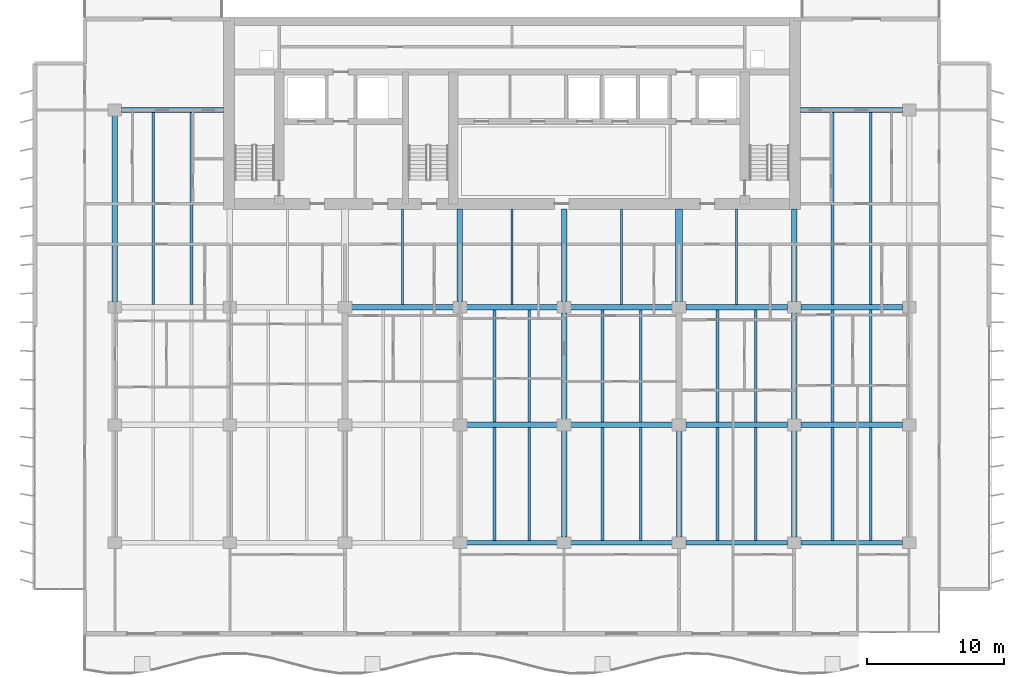
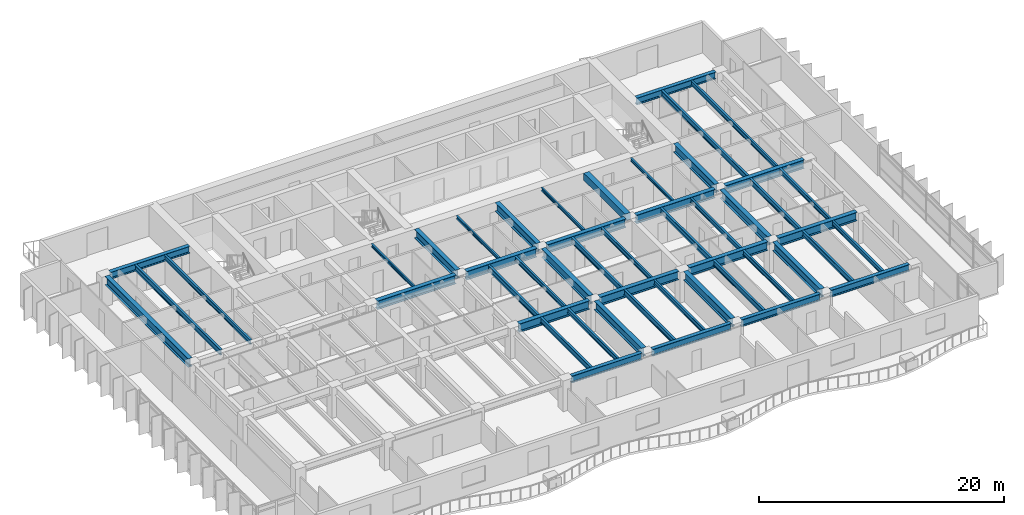
# One storey, part 3 of 15: 49 beams.
"""IFC4 building model written with IfcOpenShell, lengths in metres."""

from ifc_helpers import new_model, si_unit, direction, frame, origin, origin_2d, place, context, subcontext, project, spatial, rectangle, i_section, extrude, material, material_profile, profile_set, type_object, element, save


model = new_model("IFC4")

# Units and contexts
model_context = context("Model", 3, precision=1e-05, world=origin(), true_north=direction((0.0, 1.0)))
body_context = subcontext(model_context, "Body", "Model", "MODEL_VIEW")
ifc_project = project(units=[si_unit("LENGTHUNIT", "METRE"), si_unit("AREAUNIT", "SQUARE_METRE"), si_unit("VOLUMEUNIT", "CUBIC_METRE"), si_unit("PLANEANGLEUNIT", "RADIAN"), si_unit("MASSUNIT", "GRAM", prefix="KILO")], contexts=[model_context])

# Site, building, storey
site_placement = place(None, origin())
site = spatial("IfcSite", under=ifc_project, at=site_placement, CompositionType="ELEMENT")
building_placement = place(site_placement, origin())
building = spatial("IfcBuilding", under=site, at=building_placement, Name="Caelmar Bay Residences", CompositionType="ELEMENT")
storey_placement = place(building_placement, frame((0.0, 0.0, 132.300048828125)))
storey = spatial("IfcBuildingStorey", under=building, at=storey_placement, Name="L36", CompositionType="ELEMENT", Elevation=132.300048828125)

# Beams
ifc_material_1 = material(Name="Steel ASTM A992 Grade 50", Category="steel")
ifc_material_profile_1 = material_profile(ifc_material_1, i_section(OverallWidth=0.40087890625, OverallDepth=0.861083984375, WebThickness=0.019775390625, FlangeThickness=0.032470703125, FilletRadius=0.017822265625, at=origin_2d()), Name="W33X221")
ifc_profile_set_1 = profile_set([ifc_material_profile_1], Name="Steel ASTM A992 Grade 50")
beam_type_1 = type_object("IfcBeamType", Name="BM-GRD-W33X221", PredefinedType="BEAM", material=ifc_profile_set_1)
beam_1_placement = place(storey_placement, frame((35.590087890625, 20.800048828125, 2.619384765625), z_axis=(1.0, 0.0, 0.0), x_axis=(0.0, 1.0, 0.0)))
element("IfcBeam", 1, at=beam_1_placement, inside=storey, type_object=beam_type_1, Name="L36 East-West Girder Y=20.80 (35.1-42.7)", PredefinedType="BEAM", context=body_context, shape_type="SweptSolid", body=[
    extrude(i_section(OverallWidth=0.40087890625, OverallDepth=0.861083984375, WebThickness=0.019775390625, FlangeThickness=0.032470703125, FilletRadius=0.017822265625, at=origin_2d()), origin(), (0.0, 0.0, 1.0), 6.619873046875),
])
beam_2_placement = place(storey_placement, frame((43.18994140625, 20.800048828125, 2.619384765625), z_axis=(1.0, 0.0, 0.0), x_axis=(0.0, 1.0, 0.0)))
element("IfcBeam", 2, at=beam_2_placement, inside=storey, type_object=beam_type_1, Name="L36 East-West Girder Y=20.80 (42.7-51.1)", PredefinedType="BEAM", context=body_context, shape_type="SweptSolid", body=[
    extrude(i_section(OverallWidth=0.40087890625, OverallDepth=0.861083984375, WebThickness=0.019775390625, FlangeThickness=0.032470703125, FilletRadius=0.017822265625, at=origin_2d()), origin(), (0.0, 0.0, 1.0), 7.420166015625),
])
for number, where, z_axis, x_axis, name in (
    (3, (51.590087890625, 20.800048828125, 2.619384765625), (1.0, 0.0, 0.0), (0.0, 1.0, 0.0), "L36 East-West Girder Y=20.80 (51.1-59.5)"),
    (4, (59.989990234375, 20.800048828125, 2.619384765625), (1.0, 0.0, 0.0), (0.0, 1.0, 0.0), "L36 East-West Girder Y=20.80 (59.5-67.9)"),
):
    element("IfcBeam", number, at=place(storey_placement, frame(where, z_axis=z_axis, x_axis=x_axis)), inside=storey, type_object=beam_type_1, Name=name, PredefinedType="BEAM", context=body_context, shape_type="SweptSolid", body=[
        extrude(i_section(OverallWidth=0.40087890625, OverallDepth=0.861083984375, WebThickness=0.019775390625, FlangeThickness=0.032470703125, FilletRadius=0.017822265625, at=origin_2d()), origin(), (0.0, 0.0, 1.0), 7.419921875),
    ])
beam_3_placement = place(storey_placement, frame((27.18994140625, 29.39990234375, 2.619384765625), z_axis=(1.0, 0.0, 0.0), x_axis=(0.0, 1.0, 0.0)))
element("IfcBeam", 5, at=beam_3_placement, inside=storey, type_object=beam_type_1, Name="L36 East-West Girder Y=29.40 (26.7-35.1)", PredefinedType="BEAM", context=body_context, shape_type="SweptSolid", body=[
    extrude(i_section(OverallWidth=0.40087890625, OverallDepth=0.861083984375, WebThickness=0.019775390625, FlangeThickness=0.032470703125, FilletRadius=0.017822265625, at=origin_2d()), origin(), (0.0, 0.0, 1.0), 7.420166015625),
])
beam_4_placement = place(storey_placement, frame((35.590087890625, 29.39990234375, 2.619384765625), z_axis=(1.0, 0.0, 0.0), x_axis=(0.0, 1.0, 0.0)))
element("IfcBeam", 6, at=beam_4_placement, inside=storey, type_object=beam_type_1, Name="L36 East-West Girder Y=29.40 (35.1-42.7)", PredefinedType="BEAM", context=body_context, shape_type="SweptSolid", body=[
    extrude(i_section(OverallWidth=0.40087890625, OverallDepth=0.861083984375, WebThickness=0.019775390625, FlangeThickness=0.032470703125, FilletRadius=0.017822265625, at=origin_2d()), origin(), (0.0, 0.0, 1.0), 6.619873046875),
])
beam_5_placement = place(storey_placement, frame((43.18994140625, 29.39990234375, 2.619384765625), z_axis=(1.0, 0.0, 0.0), x_axis=(0.0, 1.0, 0.0)))
element("IfcBeam", 7, at=beam_5_placement, inside=storey, type_object=beam_type_1, Name="L36 East-West Girder Y=29.40 (42.7-51.1)", PredefinedType="BEAM", context=body_context, shape_type="SweptSolid", body=[
    extrude(i_section(OverallWidth=0.40087890625, OverallDepth=0.861083984375, WebThickness=0.019775390625, FlangeThickness=0.032470703125, FilletRadius=0.017822265625, at=origin_2d()), origin(), (0.0, 0.0, 1.0), 7.420166015625),
])
for number, where, z_axis, x_axis, name in (
    (8, (51.590087890625, 29.39990234375, 2.619384765625), (1.0, 0.0, 0.0), (0.0, 1.0, 0.0), "L36 East-West Girder Y=29.40 (51.1-59.5)"),
    (9, (59.989990234375, 29.39990234375, 2.619384765625), (1.0, 0.0, 0.0), (0.0, 1.0, 0.0), "L36 East-West Girder Y=29.40 (59.5-67.9)"),
):
    element("IfcBeam", number, at=place(storey_placement, frame(where, z_axis=z_axis, x_axis=x_axis)), inside=storey, type_object=beam_type_1, Name=name, PredefinedType="BEAM", context=body_context, shape_type="SweptSolid", body=[
        extrude(i_section(OverallWidth=0.40087890625, OverallDepth=0.861083984375, WebThickness=0.019775390625, FlangeThickness=0.032470703125, FilletRadius=0.017822265625, at=origin_2d()), origin(), (0.0, 0.0, 1.0), 7.419921875),
    ])
beam_6_placement = place(storey_placement, frame((9.89990234375, 29.81494140625, 2.619384765625), z_axis=(0.0, 1.0, 0.0), x_axis=(-1.0, 0.0, 0.0)))
element("IfcBeam", 10, at=beam_6_placement, inside=storey, type_object=beam_type_1, Name="L36 North-South Girder X=9.90 (29.4-43.8)", PredefinedType="BEAM", context=body_context, shape_type="SweptSolid", body=[
    extrude(i_section(OverallWidth=0.40087890625, OverallDepth=0.861083984375, WebThickness=0.019775390625, FlangeThickness=0.032470703125, FilletRadius=0.017822265625, at=origin_2d()), origin(), (0.0, 0.0, 1.0), 13.570068359375),
])
for number, where, z_axis, x_axis, name in (
    (11, (35.10009765625, 29.81494140625, 2.619384765625), (0.0, 1.0, 0.0), (-1.0, 0.0, 0.0), "L36 Core Tie Girder X=35.10"),
    (12, (42.699951171875, 29.81494140625, 2.619384765625), (0.0, 1.0, 0.0), (-1.0, 0.0, 0.0), "L36 Core Tie Girder X=42.70"),
):
    element("IfcBeam", number, at=place(storey_placement, frame(where, z_axis=z_axis, x_axis=x_axis)), inside=storey, type_object=beam_type_1, Name=name, PredefinedType="BEAM", context=body_context, shape_type="SweptSolid", body=[
        extrude(i_section(OverallWidth=0.40087890625, OverallDepth=0.861083984375, WebThickness=0.019775390625, FlangeThickness=0.032470703125, FilletRadius=0.017822265625, at=origin_2d()), origin(), (0.0, 0.0, 1.0), 6.735107421875),
    ])
for number, where, z_axis, x_axis, name in (
    (13, (42.699951171875, 12.614990234375, 2.619384765625), (0.0, 1.0, 0.0), (-1.0, 0.0, 0.0), "L36 North-South Girder X=42.70 (12.2-20.8)"),
    (14, (42.699951171875, 21.215087890625, 2.619384765625), (0.0, 1.0, 0.0), (-1.0, 0.0, 0.0), "L36 North-South Girder X=42.70 (20.8-29.4)"),
    (15, (51.10009765625, 12.614990234375, 2.619384765625), (0.0, 1.0, 0.0), (-1.0, 0.0, 0.0), "L36 North-South Girder X=51.10 (12.2-20.8)"),
):
    element("IfcBeam", number, at=place(storey_placement, frame(where, z_axis=z_axis, x_axis=x_axis)), inside=storey, type_object=beam_type_1, Name=name, PredefinedType="BEAM", context=body_context, shape_type="SweptSolid", body=[
        extrude(i_section(OverallWidth=0.40087890625, OverallDepth=0.861083984375, WebThickness=0.019775390625, FlangeThickness=0.032470703125, FilletRadius=0.017822265625, at=origin_2d()), origin(), (0.0, 0.0, 1.0), 7.77001953125),
    ])
beam_7_placement = place(storey_placement, frame((59.5, 29.81494140625, 2.619384765625), z_axis=(0.0, 1.0, 0.0), x_axis=(-1.0, 0.0, 0.0)))
element("IfcBeam", 16, at=beam_7_placement, inside=storey, type_object=beam_type_1, Name="L36 Core Tie Girder X=59.50", PredefinedType="BEAM", context=body_context, shape_type="SweptSolid", body=[
    extrude(i_section(OverallWidth=0.40087890625, OverallDepth=0.861083984375, WebThickness=0.019775390625, FlangeThickness=0.032470703125, FilletRadius=0.017822265625, at=origin_2d()), origin(), (0.0, 0.0, 1.0), 6.735107421875),
])
for number, where, z_axis, x_axis, name in (
    (17, (59.5, 12.614990234375, 2.619384765625), (0.0, 1.0, 0.0), (-1.0, 0.0, 0.0), "L36 North-South Girder X=59.50 (12.2-20.8)"),
    (18, (59.5, 21.215087890625, 2.619384765625), (0.0, 1.0, 0.0), (-1.0, 0.0, 0.0), "L36 North-South Girder X=59.50 (20.8-29.4)"),
):
    element("IfcBeam", number, at=place(storey_placement, frame(where, z_axis=z_axis, x_axis=x_axis)), inside=storey, type_object=beam_type_1, Name=name, PredefinedType="BEAM", context=body_context, shape_type="SweptSolid", body=[
        extrude(i_section(OverallWidth=0.40087890625, OverallDepth=0.861083984375, WebThickness=0.019775390625, FlangeThickness=0.032470703125, FilletRadius=0.017822265625, at=origin_2d()), origin(), (0.0, 0.0, 1.0), 7.77001953125),
    ])
ifc_material_profile_2 = material_profile(ifc_material_1, i_section(OverallWidth=0.1650390625, OverallDepth=0.31005859375, WebThickness=0.005859375, FlangeThickness=0.009765625, FilletRadius=0.007568359375, at=origin_2d()), Name="W12X26")
ifc_profile_set_2 = profile_set([ifc_material_profile_2], Name="Steel ASTM A992 Grade 50")
beam_type_2 = type_object("IfcBeamType", Name="BM-JST-W12X26", PredefinedType="JOIST", material=ifc_profile_set_2)
for number, where, z_axis, x_axis, name in (
    (19, (30.89990234375, 29.6005859375, 2.89501953125), (0.0, 1.0, 0.0), (-1.0, 0.0, 0.0), "L36 Core-Band Composite Joist 30"),
    (20, (38.89990234375, 29.6005859375, 2.89501953125), (0.0, 1.0, 0.0), (-1.0, 0.0, 0.0), "L36 Core-Band Composite Joist 31"),
    (21, (46.89990234375, 29.6005859375, 2.89501953125), (0.0, 1.0, 0.0), (-1.0, 0.0, 0.0), "L36 Core-Band Composite Joist 32"),
    (22, (55.300048828125, 29.6005859375, 2.89501953125), (0.0, 1.0, 0.0), (-1.0, 0.0, 0.0), "L36 Core-Band Composite Joist 33"),
):
    element("IfcBeam", number, at=place(storey_placement, frame(where, z_axis=z_axis, x_axis=x_axis)), inside=storey, type_object=beam_type_2, Name=name, PredefinedType="JOIST", context=body_context, shape_type="SweptSolid", body=[
        extrude(i_section(OverallWidth=0.1650390625, OverallDepth=0.31005859375, WebThickness=0.005859375, FlangeThickness=0.009765625, FilletRadius=0.007568359375, at=origin_2d()), origin(), (0.0, 0.0, 1.0), 6.949462890625),
    ])
ifc_material_profile_3 = material_profile(ifc_material_1, i_section(OverallWidth=0.19091796875, OverallDepth=0.45703125, WebThickness=0.009033203125, FlangeThickness=0.014404296875, FilletRadius=0.01025390625, at=origin_2d()), Name="W18X50")
ifc_profile_set_3 = profile_set([ifc_material_profile_3], Name="Steel ASTM A992 Grade 50")
beam_type_3 = type_object("IfcBeamType", Name="BM-JST-W18X50", PredefinedType="JOIST", material=ifc_profile_set_3)
for number, where, z_axis, x_axis, name in (
    (23, (40.166748046875, 12.3779296875, 2.821533203125), (0.0, 1.0, 0.0), (-1.0, 0.0, 0.0), "L36 Composite Floor Joist 8"),
    (24, (48.300048828125, 12.3779296875, 2.821533203125), (0.0, 1.0, 0.0), (-1.0, 0.0, 0.0), "L36 Composite Floor Joist 10"),
    (25, (56.699951171875, 12.3779296875, 2.821533203125), (0.0, 1.0, 0.0), (-1.0, 0.0, 0.0), "L36 Composite Floor Joist 12"),
    (26, (65.10009765625, 12.3779296875, 2.821533203125), (0.0, 1.0, 0.0), (-1.0, 0.0, 0.0), "L36 Composite Floor Joist 14"),
):
    element("IfcBeam", number, at=place(storey_placement, frame(where, z_axis=z_axis, x_axis=x_axis)), inside=storey, type_object=beam_type_3, Name=name, PredefinedType="JOIST", context=body_context, shape_type="SweptSolid", body=[
        extrude(i_section(OverallWidth=0.19091796875, OverallDepth=0.45703125, WebThickness=0.009033203125, FlangeThickness=0.014404296875, FilletRadius=0.01025390625, at=origin_2d()), origin(), (0.0, 0.0, 1.0), 8.2216796875),
    ])
for number, where, z_axis, x_axis, name in (
    (27, (40.166748046875, 21.00048828125, 2.821533203125), (0.0, 1.0, 0.0), (-1.0, 0.0, 0.0), "L36 Composite Floor Joist 22"),
    (28, (48.300048828125, 21.00048828125, 2.821533203125), (0.0, 1.0, 0.0), (-1.0, 0.0, 0.0), "L36 Composite Floor Joist 24"),
    (29, (56.699951171875, 21.00048828125, 2.821533203125), (0.0, 1.0, 0.0), (-1.0, 0.0, 0.0), "L36 Composite Floor Joist 26"),
    (30, (65.10009765625, 21.00048828125, 2.821533203125), (0.0, 1.0, 0.0), (-1.0, 0.0, 0.0), "L36 Composite Floor Joist 28"),
):
    element("IfcBeam", number, at=place(storey_placement, frame(where, z_axis=z_axis, x_axis=x_axis)), inside=storey, type_object=beam_type_3, Name=name, PredefinedType="JOIST", context=body_context, shape_type="SweptSolid", body=[
        extrude(i_section(OverallWidth=0.19091796875, OverallDepth=0.45703125, WebThickness=0.009033203125, FlangeThickness=0.014404296875, FilletRadius=0.01025390625, at=origin_2d()), origin(), (0.0, 0.0, 1.0), 8.198974609375),
    ])
for number, where, z_axis, x_axis, name in (
    (31, (15.5, 29.6005859375, 2.821533203125), (0.0, 1.0, 0.0), (-1.0, 0.0, 0.0), "L36 Composite Floor Joist 35"),
    (32, (65.10009765625, 29.6005859375, 2.821533203125), (0.0, 1.0, 0.0), (-1.0, 0.0, 0.0), "L36 Composite Floor Joist 37"),
):
    element("IfcBeam", number, at=place(storey_placement, frame(where, z_axis=z_axis, x_axis=x_axis)), inside=storey, type_object=beam_type_3, Name=name, PredefinedType="JOIST", context=body_context, shape_type="SweptSolid", body=[
        extrude(i_section(OverallWidth=0.19091796875, OverallDepth=0.45703125, WebThickness=0.009033203125, FlangeThickness=0.014404296875, FilletRadius=0.01025390625, at=origin_2d()), origin(), (0.0, 0.0, 1.0), 14.021484375),
    ])
ifc_material_profile_4 = material_profile(ifc_material_1, i_section(OverallWidth=0.2099609375, OverallDepth=0.535888671875, WebThickness=0.010986328125, FlangeThickness=0.017333984375, FilletRadius=0.0126953125, at=origin_2d()), Name="W21X68")
ifc_profile_set_4 = profile_set([ifc_material_profile_4], Name="Steel ASTM A992 Grade 50")
beam_type_4 = type_object("IfcBeamType", Name="BM-JST-W21X68", PredefinedType="JOIST", material=ifc_profile_set_4)
for number, where, z_axis, x_axis, name in (
    (33, (37.63330078125, 12.3779296875, 2.781982421875), (0.0, 1.0, 0.0), (-1.0, 0.0, 0.0), "L36 Composite Floor Joist 7"),
    (34, (45.5, 12.3779296875, 2.781982421875), (0.0, 1.0, 0.0), (-1.0, 0.0, 0.0), "L36 Composite Floor Joist 9"),
    (35, (53.89990234375, 12.3779296875, 2.781982421875), (0.0, 1.0, 0.0), (-1.0, 0.0, 0.0), "L36 Composite Floor Joist 11"),
    (36, (62.300048828125, 12.3779296875, 2.781982421875), (0.0, 1.0, 0.0), (-1.0, 0.0, 0.0), "L36 Composite Floor Joist 13"),
):
    element("IfcBeam", number, at=place(storey_placement, frame(where, z_axis=z_axis, x_axis=x_axis)), inside=storey, type_object=beam_type_4, Name=name, PredefinedType="JOIST", context=body_context, shape_type="SweptSolid", body=[
        extrude(i_section(OverallWidth=0.2099609375, OverallDepth=0.535888671875, WebThickness=0.010986328125, FlangeThickness=0.017333984375, FilletRadius=0.0126953125, at=origin_2d()), origin(), (0.0, 0.0, 1.0), 8.2216796875),
    ])
for number, where, z_axis, x_axis, name in (
    (37, (37.63330078125, 21.00048828125, 2.781982421875), (0.0, 1.0, 0.0), (-1.0, 0.0, 0.0), "L36 Composite Floor Joist 21"),
    (38, (45.5, 21.00048828125, 2.781982421875), (0.0, 1.0, 0.0), (-1.0, 0.0, 0.0), "L36 Composite Floor Joist 23"),
    (39, (53.89990234375, 21.00048828125, 2.781982421875), (0.0, 1.0, 0.0), (-1.0, 0.0, 0.0), "L36 Composite Floor Joist 25"),
    (40, (62.300048828125, 21.00048828125, 2.781982421875), (0.0, 1.0, 0.0), (-1.0, 0.0, 0.0), "L36 Composite Floor Joist 27"),
):
    element("IfcBeam", number, at=place(storey_placement, frame(where, z_axis=z_axis, x_axis=x_axis)), inside=storey, type_object=beam_type_4, Name=name, PredefinedType="JOIST", context=body_context, shape_type="SweptSolid", body=[
        extrude(i_section(OverallWidth=0.2099609375, OverallDepth=0.535888671875, WebThickness=0.010986328125, FlangeThickness=0.017333984375, FilletRadius=0.0126953125, at=origin_2d()), origin(), (0.0, 0.0, 1.0), 8.198974609375),
    ])
for number, where, z_axis, x_axis, name in (
    (41, (12.699951171875, 29.6005859375, 2.781982421875), (0.0, 1.0, 0.0), (-1.0, 0.0, 0.0), "L36 Composite Floor Joist 34"),
    (42, (62.300048828125, 29.6005859375, 2.781982421875), (0.0, 1.0, 0.0), (-1.0, 0.0, 0.0), "L36 Composite Floor Joist 36"),
):
    element("IfcBeam", number, at=place(storey_placement, frame(where, z_axis=z_axis, x_axis=x_axis)), inside=storey, type_object=beam_type_4, Name=name, PredefinedType="JOIST", context=body_context, shape_type="SweptSolid", body=[
        extrude(i_section(OverallWidth=0.2099609375, OverallDepth=0.535888671875, WebThickness=0.010986328125, FlangeThickness=0.017333984375, FilletRadius=0.0126953125, at=origin_2d()), origin(), (0.0, 0.0, 1.0), 14.021484375),
    ])
ifc_material_2 = material(Name="Concrete f'c 55 MPa (8,000 psi)", Category="concrete")
ifc_material_profile_5 = material_profile(ifc_material_2, rectangle(XDim=0.5, YDim=0.699951171875, at=origin_2d()), Name="RC-BM-500X700")
ifc_profile_set_5 = profile_set([ifc_material_profile_5], Name="Concrete f'c 55 MPa (8,000 psi)")
beam_type_5 = type_object("IfcBeamType", Name="BM-RC-500X700", PredefinedType="LINTEL", material=ifc_profile_set_5)
beam_8_placement = place(storey_placement, frame((51.10009765625, 29.81494140625, 2.699951171875), z_axis=(0.0, 1.0, 0.0), x_axis=(-1.0, 0.0, 0.0)))
element("IfcBeam", 43, at=beam_8_placement, inside=storey, type_object=beam_type_5, Name="L36 Shear-Wall Corridor Coupling Lintel E8", PredefinedType="LINTEL", context=body_context, shape_type="SweptSolid", body=[
    extrude(rectangle(XDim=0.5, YDim=0.699951171875, at=origin_2d()), origin(), (0.0, 0.0, 1.0), 6.735107421875),
])
ifc_material_profile_6 = material_profile(ifc_material_1, i_section(OverallWidth=0.35595703125, OverallDepth=0.696044921875, WebThickness=0.015380859375, FlangeThickness=0.02490234375, FilletRadius=0.01513671875, at=origin_2d()), Name="W27X146")
ifc_profile_set_6 = profile_set([ifc_material_profile_6], Name="Steel ASTM A992 Grade 50")
beam_type_6 = type_object("IfcBeamType", Name="BM-SPN-W27X146", PredefinedType="SPANDREL", material=ifc_profile_set_6)
beam_9_placement = place(storey_placement, frame((35.590087890625, 12.199951171875, 2.701904296875), z_axis=(1.0, 0.0, 0.0), x_axis=(0.0, 1.0, 0.0)))
element("IfcBeam", 44, at=beam_9_placement, inside=storey, type_object=beam_type_6, Name="L36 East-West Girder Y=12.20 (35.1-42.7)", PredefinedType="SPANDREL", context=body_context, shape_type="SweptSolid", body=[
    extrude(i_section(OverallWidth=0.35595703125, OverallDepth=0.696044921875, WebThickness=0.015380859375, FlangeThickness=0.02490234375, FilletRadius=0.01513671875, at=origin_2d()), origin(), (0.0, 0.0, 1.0), 6.619873046875),
])
beam_10_placement = place(storey_placement, frame((43.18994140625, 12.199951171875, 2.701904296875), z_axis=(1.0, 0.0, 0.0), x_axis=(0.0, 1.0, 0.0)))
element("IfcBeam", 45, at=beam_10_placement, inside=storey, type_object=beam_type_6, Name="L36 East-West Girder Y=12.20 (42.7-51.1)", PredefinedType="SPANDREL", context=body_context, shape_type="SweptSolid", body=[
    extrude(i_section(OverallWidth=0.35595703125, OverallDepth=0.696044921875, WebThickness=0.015380859375, FlangeThickness=0.02490234375, FilletRadius=0.01513671875, at=origin_2d()), origin(), (0.0, 0.0, 1.0), 7.420166015625),
])
for number, where, z_axis, x_axis, name in (
    (46, (51.590087890625, 12.199951171875, 2.701904296875), (1.0, 0.0, 0.0), (0.0, 1.0, 0.0), "L36 East-West Girder Y=12.20 (51.1-59.5)"),
    (47, (59.989990234375, 12.199951171875, 2.701904296875), (1.0, 0.0, 0.0), (0.0, 1.0, 0.0), "L36 East-West Girder Y=12.20 (59.5-67.9)"),
):
    element("IfcBeam", number, at=place(storey_placement, frame(where, z_axis=z_axis, x_axis=x_axis)), inside=storey, type_object=beam_type_6, Name=name, PredefinedType="SPANDREL", context=body_context, shape_type="SweptSolid", body=[
        extrude(i_section(OverallWidth=0.35595703125, OverallDepth=0.696044921875, WebThickness=0.015380859375, FlangeThickness=0.02490234375, FilletRadius=0.01513671875, at=origin_2d()), origin(), (0.0, 0.0, 1.0), 7.419921875),
    ])
beam_11_placement = place(storey_placement, frame((10.389892578125, 43.800048828125, 2.701904296875), z_axis=(1.0, 0.0, 0.0), x_axis=(0.0, 1.0, 0.0)))
element("IfcBeam", 48, at=beam_11_placement, inside=storey, type_object=beam_type_6, Name="L36 North-West Wing Core Tie Girder", PredefinedType="SPANDREL", context=body_context, shape_type="SweptSolid", body=[
    extrude(i_section(OverallWidth=0.35595703125, OverallDepth=0.696044921875, WebThickness=0.015380859375, FlangeThickness=0.02490234375, FilletRadius=0.01513671875, at=origin_2d()), origin(), (0.0, 0.0, 1.0), 7.460205078125),
])
beam_12_placement = place(storey_placement, frame((59.949951171875, 43.800048828125, 2.701904296875), z_axis=(1.0, 0.0, 0.0), x_axis=(0.0, 1.0, 0.0)))
element("IfcBeam", 49, at=beam_12_placement, inside=storey, type_object=beam_type_6, Name="L36 North-East Wing Core Tie Girder", PredefinedType="SPANDREL", context=body_context, shape_type="SweptSolid", body=[
    extrude(i_section(OverallWidth=0.35595703125, OverallDepth=0.696044921875, WebThickness=0.015380859375, FlangeThickness=0.02490234375, FilletRadius=0.01513671875, at=origin_2d()), origin(), (0.0, 0.0, 1.0), 7.4599609375),
])

save(model, "model.ifc")
